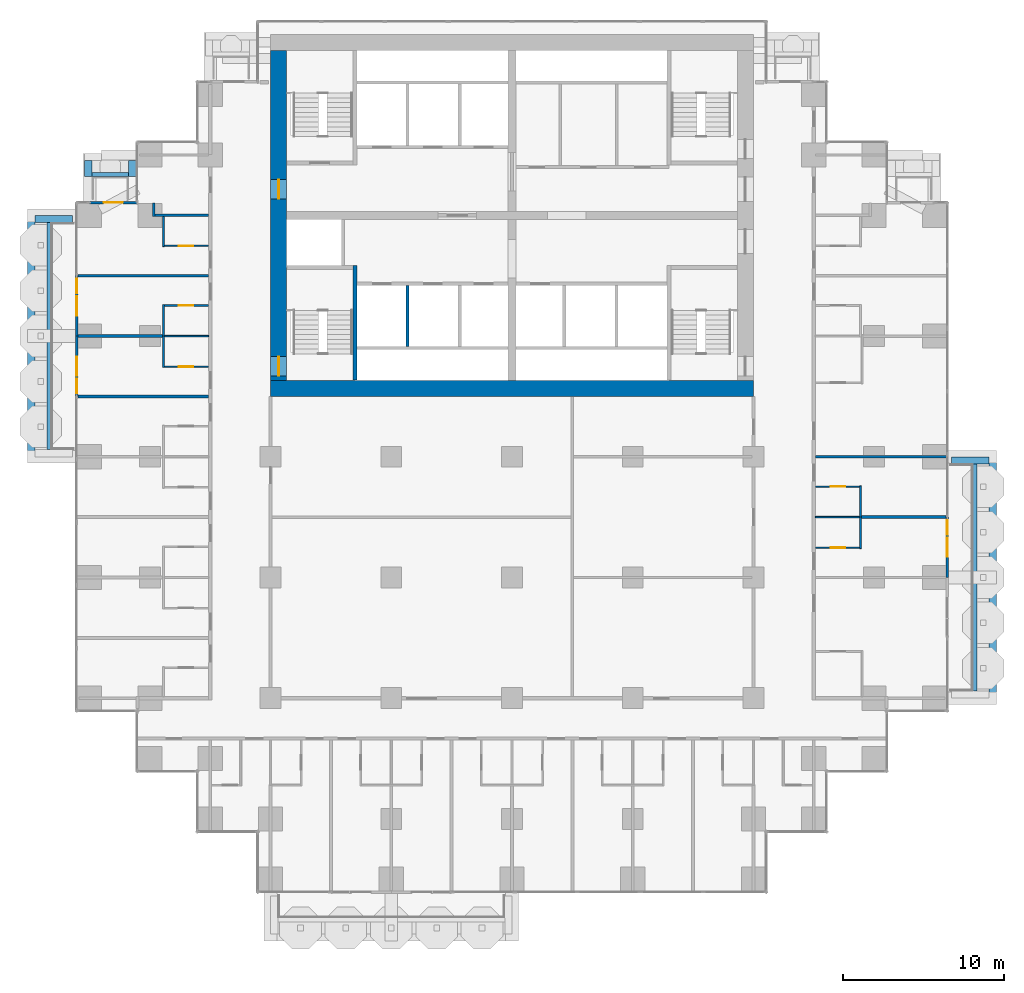
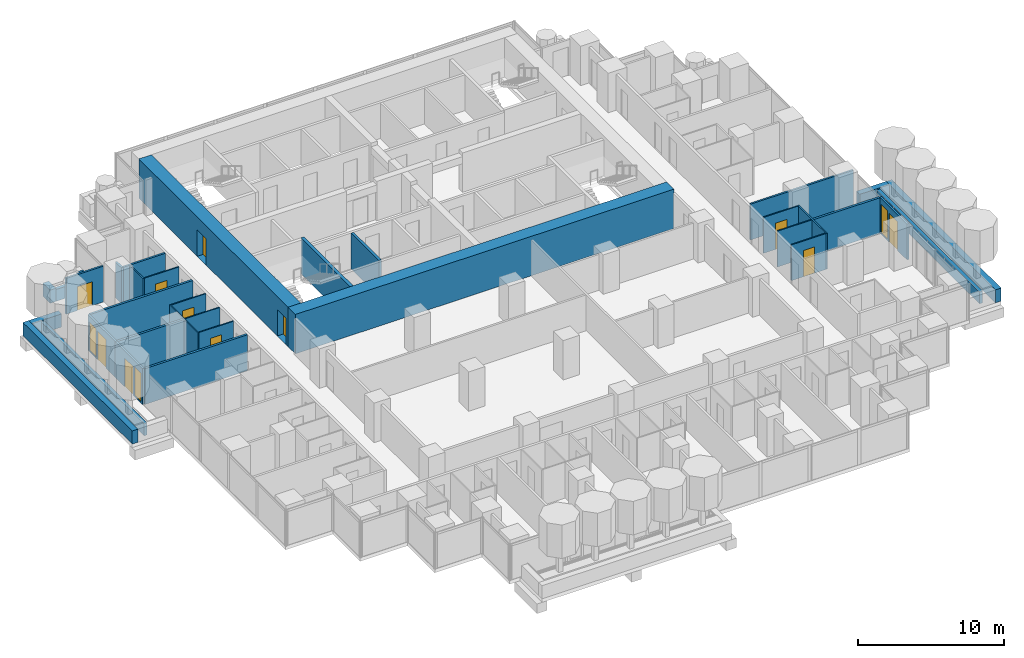
# One storey, part 13 of 19: 34 walls, 11 doors, 3 windows, 14 openings.
"""IFC4 building model written with IfcOpenShell, lengths in metres."""

from ifc_helpers import new_model, si_unit, direction, frame, frame_2d, origin, place, context, subcontext, project, spatial, rectangle, extrude, material, layer, layer_set, type_object, element, fill, save


model = new_model("IFC4")

# Units and contexts
model_context = context("Model", 3, precision=1e-05, world=origin(), true_north=direction((0.0, 1.0)))
body_context = subcontext(model_context, "Body", "Model", "MODEL_VIEW")
ifc_project = project(units=[si_unit("LENGTHUNIT", "METRE"), si_unit("AREAUNIT", "SQUARE_METRE"), si_unit("VOLUMEUNIT", "CUBIC_METRE"), si_unit("PLANEANGLEUNIT", "RADIAN"), si_unit("MASSUNIT", "GRAM", prefix="KILO")], contexts=[model_context])

# Site, building, storey
site_placement = place(None, origin())
site = spatial("IfcSite", under=ifc_project, at=site_placement, CompositionType="ELEMENT")
building_placement = place(site_placement, origin())
building = spatial("IfcBuilding", under=site, at=building_placement, Name="Pilkhan Gate Tower", CompositionType="ELEMENT")
storey_placement = place(building_placement, frame((0.0, 0.0, 62.60009765625)))
storey = spatial("IfcBuildingStorey", under=building, at=storey_placement, Name="L13", CompositionType="ELEMENT", Elevation=62.60009765625)

# Walls
ifc_material_1 = material(Name="Dense blockwork", Category="masonry")
ifc_layer_1 = layer(ifc_material_1, 0.175048828125)
ifc_layer_set_1 = layer_set([ifc_layer_1], Name="Acoustic party wall PW175")
wall_type_1 = type_object("IfcWallType", Name="Acoustic party wall PW175", PredefinedType="PARTITIONING", material=ifc_layer_set_1)
wall_1_placement = place(storey_placement, frame((96.699951171875, 63.75, 0.0), z_axis=(0.0, 0.0, 1.0), x_axis=(1.0, 0.0, 0.0)))
element("IfcWall", 1, at=wall_1_placement, inside=storey, type_object=wall_type_1, Name="Partition L13", PredefinedType="PARTITIONING", context=body_context, shape_type="SweptSolid", body=[
    extrude(rectangle(XDim=5.260009765625, YDim=0.175048828125, at=frame_2d((2.6298828125, 0.0))), origin(), (0.0, 0.0, 1.0), 3.0),
])
wall_2_placement = place(storey_placement, frame((48.0400390625, 71.25, 0.0), z_axis=(0.0, 0.0, 1.0), x_axis=(1.0, 0.0, 0.0)))
element("IfcWall", 2, at=wall_2_placement, inside=storey, type_object=wall_type_1, Name="Partition L13", PredefinedType="PARTITIONING", context=body_context, shape_type="SweptSolid", body=[
    extrude(rectangle(XDim=8.10986328125, YDim=0.175048828125, at=frame_2d((4.054931640625, 0.0))), origin(), (0.0, 0.0, 1.0), 3.0),
])
wall_3_placement = place(storey_placement, frame((48.0400390625, 75.0, 0.0), z_axis=(0.0, 0.0, 1.0), x_axis=(1.0, 0.0, 0.0)))
element("IfcWall", 3, at=wall_3_placement, inside=storey, type_object=wall_type_1, Name="Partition L13", PredefinedType="PARTITIONING", context=body_context, shape_type="SweptSolid", body=[
    extrude(rectangle(XDim=5.260009765625, YDim=0.175048828125, at=frame_2d((2.6298828125, 0.0))), origin(), (0.0, 0.0, 1.0), 3.0),
])
wall_4_placement = place(storey_placement, frame((48.0400390625, 78.75, 0.0), z_axis=(0.0, 0.0, 1.0), x_axis=(1.0, 0.0, 0.0)))
element("IfcWall", 4, at=wall_4_placement, inside=storey, type_object=wall_type_1, Name="Partition L13", PredefinedType="PARTITIONING", context=body_context, shape_type="SweptSolid", body=[
    extrude(rectangle(XDim=8.10986328125, YDim=0.175048828125, at=frame_2d((4.054931640625, 0.0))), origin(), (0.0, 0.0, 1.0), 3.0),
])
ifc_material_2 = material(Name="Concrete C40/50", Category="concrete")
ifc_layer_2 = layer(ifc_material_2, 0.25)
ifc_layer_set_2 = layer_set([ifc_layer_2], Name="Balcony planter BP250")
wall_type_2 = type_object("IfcWallType", Name="Balcony planter BP250", PredefinedType="USERDEFINED", material=ifc_layer_set_2)
wall_5_placement = place(storey_placement, frame((103.77490234375, 52.949951171875, 0.0), z_axis=(0.0, 0.0, 1.0), x_axis=(0.0, 1.0, 0.0)))
element("IfcWall", 5, at=wall_5_placement, inside=storey, type_object=wall_type_2, Name="Balcony planter L13 E", ObjectType="BALCONY PLANTER", PredefinedType="USERDEFINED", context=body_context, shape_type="SweptSolid", body=[
    extrude(rectangle(XDim=14.10009765625, YDim=0.25, at=frame_2d((7.050048828125, 0.0))), origin(), (0.0, 0.0, 1.0), 1.0),
])
wall_6_placement = place(storey_placement, frame((48.89990234375, 85.02490234375, 0.0), z_axis=(0.0, 0.0, 1.0), x_axis=(1.0, 0.0, 0.0)))
element("IfcWall", 6, at=wall_6_placement, inside=storey, type_object=wall_type_2, Name="Balcony planter L13 N", ObjectType="BALCONY PLANTER", PredefinedType="USERDEFINED", context=body_context, shape_type="SweptSolid", body=[
    extrude(rectangle(XDim=2.280029296875, YDim=0.25, at=frame_2d((1.14013671875, 0.0))), origin(), (0.0, 0.0, 1.0), 1.0),
])
wall_7_placement = place(storey_placement, frame((46.22509765625, 67.949951171875, 0.0), z_axis=(0.0, 0.0, 1.0), x_axis=(0.0, 1.0, 0.0)))
element("IfcWall", 7, at=wall_7_placement, inside=storey, type_object=wall_type_2, Name="Balcony planter L13 W", ObjectType="BALCONY PLANTER", PredefinedType="USERDEFINED", context=body_context, shape_type="SweptSolid", body=[
    extrude(rectangle(XDim=14.10009765625, YDim=0.25, at=frame_2d((7.050048828125, 0.0))), origin(), (0.0, 0.0, 1.0), 1.0),
])
ifc_material_3 = material(Name="Board-marked Concrete C40/50", Category="concrete")
ifc_layer_3 = layer(ifc_material_3, 0.449951171875)
ifc_layer_set_3 = layer_set([ifc_layer_3], Name="Balcony planter lip BL450")
wall_type_3 = type_object("IfcWallType", Name="Balcony planter lip BL450", PredefinedType="USERDEFINED", material=ifc_layer_set_3)
wall_8_placement = place(storey_placement, frame((104.875, 52.5, 0.0), z_axis=(0.0, 0.0, 1.0), x_axis=(0.0, 1.0, 0.0)))
element("IfcWall", 8, at=wall_8_placement, inside=storey, type_object=wall_type_3, Name="Balcony planter L13 E", ObjectType="BALCONY PLANTER", PredefinedType="USERDEFINED", context=body_context, shape_type="SweptSolid", body=[
    extrude(rectangle(XDim=15.0, YDim=0.449951171875, at=frame_2d((7.5, 0.0))), origin(), (0.0, 0.0, 1.0), 1.099853515625),
])
wall_9_placement = place(storey_placement, frame((102.300048828125, 67.27490234375, 0.0), z_axis=(0.0, 0.0, 1.0), x_axis=(1.0, 0.0, 0.0)))
element("IfcWall", 9, at=wall_9_placement, inside=storey, type_object=wall_type_3, Name="Balcony planter L13 E", ObjectType="BALCONY PLANTER", PredefinedType="USERDEFINED", context=body_context, shape_type="SweptSolid", body=[
    extrude(rectangle(XDim=2.349853515625, YDim=0.449951171875, at=frame_2d((1.1748046875, 0.0))), origin(), (0.0, 0.0, 1.0), 1.099853515625),
])
for number, where, z_axis, x_axis, name in (
    (10, (48.675048828125, 84.89990234375, 0.0), (0.0, 0.0, 1.0), (0.0, 1.0, 0.0), "Balcony planter L13 N"),
    (11, (51.405029296875, 84.89990234375, 0.0), (0.0, 0.0, 1.0), (0.0, 1.0, 0.0), "Balcony planter L13 N"),
):
    element("IfcWall", number, at=place(storey_placement, frame(where, z_axis=z_axis, x_axis=x_axis)), inside=storey, type_object=wall_type_3, Name=name, ObjectType="BALCONY PLANTER", PredefinedType="USERDEFINED", context=body_context, shape_type="SweptSolid", body=[
        extrude(rectangle(XDim=1.0, YDim=0.449951171875, at=frame_2d((0.5, 0.0))), origin(), (0.0, 0.0, 1.0), 1.099853515625),
    ])
wall_10_placement = place(storey_placement, frame((45.125, 67.5, 0.0), z_axis=(0.0, 0.0, 1.0), x_axis=(0.0, 1.0, 0.0)))
element("IfcWall", 12, at=wall_10_placement, inside=storey, type_object=wall_type_3, Name="Balcony planter L13 W", ObjectType="BALCONY PLANTER", PredefinedType="USERDEFINED", context=body_context, shape_type="SweptSolid", body=[
    extrude(rectangle(XDim=15.0, YDim=0.449951171875, at=frame_2d((7.5, 0.0))), origin(), (0.0, 0.0, 1.0), 1.099853515625),
])
wall_11_placement = place(storey_placement, frame((47.699951171875, 82.27490234375, 0.0), z_axis=(0.0, 0.0, 1.0), x_axis=(-1.0, 0.0, 0.0)))
element("IfcWall", 13, at=wall_11_placement, inside=storey, type_object=wall_type_3, Name="Balcony planter L13 W", ObjectType="BALCONY PLANTER", PredefinedType="USERDEFINED", context=body_context, shape_type="SweptSolid", body=[
    extrude(rectangle(XDim=2.349853515625, YDim=0.449951171875, at=frame_2d((1.1748046875, 0.0))), origin(), (0.0, 0.0, 1.0), 1.099853515625),
])
ifc_material_4 = material(Name="Concrete C70/85", Category="concrete")
ifc_layer_4 = layer(ifc_material_4, 1.0)
ifc_layer_set_4 = layer_set([ifc_layer_4], Name="Core wall CW1000 C70/85")
wall_type_4 = type_object("IfcWallType", Name="Core wall CW1000 C70/85", PredefinedType="SHEAR", material=ifc_layer_set_4)
wall_12_placement = place(storey_placement, frame((60.0, 71.75, 0.0), z_axis=(0.0, 0.0, 1.0), x_axis=(1.0, 0.0, 0.0)))
element("IfcWall", 14, at=wall_12_placement, inside=storey, type_object=wall_type_4, Name="Core wall S L13", PredefinedType="SHEAR", context=body_context, shape_type="SweptSolid", body=[
    extrude(rectangle(XDim=30.0, YDim=1.0, at=frame_2d((15.0, 0.0))), origin(), (0.0, 0.0, 1.0), 3.2998046875),
])

# Wall, openings, doors
wall_13_placement = place(storey_placement, frame((60.5, 92.75, 0.0), z_axis=(0.0, 0.0, 1.0), x_axis=(0.0, -1.0, 0.0)))
wall_13 = element("IfcWall", 15, at=wall_13_placement, inside=storey, type_object=wall_type_4, Name="Core wall W L13", PredefinedType="SHEAR", context=body_context, shape_type="SweptSolid", body=[
    extrude(rectangle(XDim=20.5, YDim=1.0, at=frame_2d((10.25, 0.0))), origin(), (0.0, 0.0, 1.0), 3.2998046875),
])
opening_1_placement = place(wall_13_placement, frame((19.02490234375, 0.0, 0.0)))
opening_1 = element("IfcOpeningElement", 16, at=opening_1_placement, cuts=wall_13, Name="Opening L13-04", PredefinedType="OPENING", context=body_context, shape_type="SweptSolid", body=[
    extrude(rectangle(XDim=1.199951171875, YDim=2.199951171875, at=frame_2d((0.60009765625, 1.10009765625))), frame((0.0, 0.510009765625, 0.0), z_axis=(0.0, -1.0, 0.0), x_axis=(1.0, 0.0, 0.0)), (0.0, 0.0, 1.0), 1.02001953125),
])
opening_2_placement = place(wall_13_placement, frame((8.02490234375, 0.0, 0.0)))
opening_2 = element("IfcOpeningElement", 17, at=opening_2_placement, cuts=wall_13, Name="Opening L13-55", PredefinedType="OPENING", context=body_context, shape_type="SweptSolid", body=[
    extrude(rectangle(XDim=1.199951171875, YDim=2.199951171875, at=frame_2d((0.60009765625, 1.10009765625))), frame((0.0, 0.510009765625, 0.0), z_axis=(0.0, -1.0, 0.0), x_axis=(1.0, 0.0, 0.0)), (0.0, 0.0, 1.0), 1.02001953125),
])
ifc_material_5 = material(Name="Steel door, 120 minute fire resisting, self-closing", Category="steel")
door_type_1 = type_object("IfcDoorType", Name="Firefighting lobby door D10 1200x2200", OperationType="SINGLE_SWING_LEFT", PredefinedType="DOOR", material=ifc_material_5)
door_1_placement = place(opening_2_placement, origin())
door_1 = element("IfcDoor", 18, at=door_1_placement, inside=storey, type_object=door_type_1, Name="Core door", OperationType="SINGLE_SWING_LEFT", OverallHeight=2.199951171875, OverallWidth=1.199951171875, PredefinedType="DOOR", context=body_context, shape_type="SweptSolid", body=[
    extrude(rectangle(XDim=1.199951171875, YDim=2.199951171875, at=frame_2d((0.60009765625, 1.10009765625))), frame((0.0, 0.02490234375, 0.0), z_axis=(0.0, -1.0, 0.0), x_axis=(1.0, 0.0, 0.0)), (0.0, 0.0, 1.0), 0.050048828125),
])
fill(opening_2, door_1)
ifc_material_6 = material(Name="Steel door, 120 minute fire resisting, panic bar", Category="steel")
door_type_2 = type_object("IfcDoorType", Name="Stair door D11 1200x2200", OperationType="SINGLE_SWING_LEFT", PredefinedType="DOOR", material=ifc_material_6)
door_2_placement = place(opening_1_placement, origin())
door_2 = element("IfcDoor", 19, at=door_2_placement, inside=storey, type_object=door_type_2, Name="Stair ST2 door", OperationType="SINGLE_SWING_LEFT", OverallHeight=2.199951171875, OverallWidth=1.199951171875, PredefinedType="DOOR", context=body_context, shape_type="SweptSolid", body=[
    extrude(rectangle(XDim=1.199951171875, YDim=2.199951171875, at=frame_2d((0.60009765625, 1.10009765625))), frame((0.0, 0.02490234375, 0.0), z_axis=(0.0, -1.0, 0.0), x_axis=(1.0, 0.0, 0.0)), (0.0, 0.0, 1.0), 0.050048828125),
])
fill(opening_1, door_2)

# Wall, openings, door, window
ifc_material_7 = material(Name="Pale anodised aluminium, clear laminated glazing", Category="aluminium")
ifc_layer_5 = layer(ifc_material_7, 0.14990234375)
ifc_layer_set_5 = layer_set([ifc_layer_5], Name="Facade infill wall IW150")
wall_type_5 = type_object("IfcWallType", Name="Facade infill wall IW150", PredefinedType="SOLIDWALL", material=ifc_layer_set_5)
wall_14_placement = place(storey_placement, frame((102.044921875, 60.0, 0.0), z_axis=(0.0, 0.0, 1.0), x_axis=(0.0, 1.0, 0.0)))
wall_14 = element("IfcWall", 20, at=wall_14_placement, inside=storey, type_object=wall_type_5, Name="Infill wall L13 E", PredefinedType="SOLIDWALL", context=body_context, shape_type="SweptSolid", body=[
    extrude(rectangle(XDim=3.75, YDim=0.14990234375, at=frame_2d((1.875, 0.0))), origin(), (0.0, 0.0, 1.0), 3.0),
])
opening_3_placement = place(wall_14_placement, frame((1.27490234375, 0.0, 0.0)))
opening_3 = element("IfcOpeningElement", 21, at=opening_3_placement, cuts=wall_14, Name="Opening D1", PredefinedType="OPENING", context=body_context, shape_type="SweptSolid", body=[
    extrude(rectangle(XDim=1.199951171875, YDim=2.39990234375, at=frame_2d((0.60009765625, 1.199951171875))), frame((0.0, 0.0849609375, 0.0), z_axis=(0.0, -1.0, 0.0), x_axis=(1.0, 0.0, 0.0)), (0.0, 0.0, 1.0), 0.169921875),
])
opening_4_placement = place(wall_14_placement, frame((2.66259765625, 0.0, 0.10009765625)))
opening_4 = element("IfcOpeningElement", 22, at=opening_4_placement, cuts=wall_14, Name="Opening W1", PredefinedType="OPENING", context=body_context, shape_type="SweptSolid", body=[
    extrude(rectangle(XDim=0.89990234375, YDim=2.39990234375, at=frame_2d((0.449951171875, 1.199951171875))), frame((0.0, 0.0849609375, 0.0), z_axis=(0.0, -1.0, 0.0), x_axis=(1.0, 0.0, 0.0)), (0.0, 0.0, 1.0), 0.169921875),
])
ifc_material_8 = material(Name="Pale anodised aluminium, clear glazing", Category="aluminium")
door_type_3 = type_object("IfcDoorType", Name="Balcony door D1 1200x2400", OperationType="SINGLE_SWING_LEFT", PredefinedType="DOOR", material=ifc_material_8)
door_3_placement = place(opening_3_placement, origin())
door_3 = element("IfcDoor", 23, at=door_3_placement, inside=storey, type_object=door_type_3, Name="Balcony door L13", OperationType="SINGLE_SWING_LEFT", OverallHeight=2.39990234375, OverallWidth=1.199951171875, PredefinedType="DOOR", context=body_context, shape_type="SweptSolid", body=[
    extrude(rectangle(XDim=1.199951171875, YDim=2.39990234375, at=frame_2d((0.60009765625, 1.199951171875))), frame((0.0, 0.02490234375, 0.0), z_axis=(0.0, -1.0, 0.0), x_axis=(1.0, 0.0, 0.0)), (0.0, 0.0, 1.0), 0.050048828125),
])
fill(opening_3, door_3)
ifc_material_9 = material(Name="Pale anodised aluminium, clear double glazing", Category="aluminium")
window_type = type_object("IfcWindowType", Name="Window W1 900x2400", PartitioningType="SINGLE_PANEL", PredefinedType="WINDOW", material=ifc_material_9)
window_1_placement = place(opening_4_placement, origin())
window_1 = element("IfcWindow", 24, at=window_1_placement, inside=storey, type_object=window_type, Name="Window L13", OverallHeight=2.39990234375, OverallWidth=0.89990234375, PartitioningType="SINGLE_PANEL", PredefinedType="WINDOW", context=body_context, shape_type="SweptSolid", body=[
    extrude(rectangle(XDim=0.89990234375, YDim=2.39990234375, at=frame_2d((0.449951171875, 1.199951171875))), frame((0.0, 0.030029296875, 0.0), z_axis=(0.0, -1.0, 0.0), x_axis=(1.0, 0.0, 0.0)), (0.0, 0.0, 1.0), 0.06005859375),
])
fill(opening_4, window_1)

# Wall, opening, door
wall_15_placement = place(storey_placement, frame((48.75, 83.294921875, 0.0), z_axis=(0.0, 0.0, 1.0), x_axis=(1.0, 0.0, 0.0)))
wall_15 = element("IfcWall", 25, at=wall_15_placement, inside=storey, type_object=wall_type_5, Name="Infill wall L13 N", PredefinedType="SOLIDWALL", context=body_context, shape_type="SweptSolid", body=[
    extrude(rectangle(XDim=2.955078125, YDim=0.14990234375, at=frame_2d((1.4775390625, 0.0))), origin(), (0.0, 0.0, 1.0), 3.0),
])
opening_5_placement = place(wall_15_placement, frame((0.87744140625, 0.0, 0.0)))
opening_5 = element("IfcOpeningElement", 26, at=opening_5_placement, cuts=wall_15, Name="Opening D1L", PredefinedType="OPENING", context=body_context, shape_type="SweptSolid", body=[
    extrude(rectangle(XDim=1.199951171875, YDim=2.0, at=frame_2d((0.60009765625, 1.0))), frame((0.0, 0.0849609375, 0.0), z_axis=(0.0, -1.0, 0.0), x_axis=(1.0, 0.0, 0.0)), (0.0, 0.0, 1.0), 0.169921875),
])
door_type_4 = type_object("IfcDoorType", Name="Balcony door D1L 1200x2000", OperationType="SINGLE_SWING_LEFT", PredefinedType="DOOR", material=ifc_material_8)
door_4_placement = place(opening_5_placement, origin())
door_4 = element("IfcDoor", 27, at=door_4_placement, inside=storey, type_object=door_type_4, Name="Balcony door L13", OperationType="SINGLE_SWING_LEFT", OverallHeight=2.0, OverallWidth=1.199951171875, PredefinedType="DOOR", context=body_context, shape_type="SweptSolid", body=[
    extrude(rectangle(XDim=1.199951171875, YDim=2.0, at=frame_2d((0.60009765625, 1.0))), frame((0.0, 0.02490234375, 0.0), z_axis=(0.0, -1.0, 0.0), x_axis=(1.0, 0.0, 0.0)), (0.0, 0.0, 1.0), 0.050048828125),
])
fill(opening_5, door_4)

# Wall, openings, door, window
wall_16_placement = place(storey_placement, frame((47.955078125, 71.25, 0.0), z_axis=(0.0, 0.0, 1.0), x_axis=(0.0, 1.0, 0.0)))
wall_16 = element("IfcWall", 28, at=wall_16_placement, inside=storey, type_object=wall_type_5, Name="Infill wall L13 W", PredefinedType="SOLIDWALL", context=body_context, shape_type="SweptSolid", body=[
    extrude(rectangle(XDim=3.75, YDim=0.14990234375, at=frame_2d((1.875, 0.0))), origin(), (0.0, 0.0, 1.0), 3.0),
])
opening_6_placement = place(wall_16_placement, frame((0.1875, 0.0, 0.10009765625)))
opening_6 = element("IfcOpeningElement", 29, at=opening_6_placement, cuts=wall_16, Name="Opening W1", PredefinedType="OPENING", context=body_context, shape_type="SweptSolid", body=[
    extrude(rectangle(XDim=0.89990234375, YDim=2.39990234375, at=frame_2d((0.449951171875, 1.199951171875))), frame((0.0, 0.0849609375, 0.0), z_axis=(0.0, -1.0, 0.0), x_axis=(1.0, 0.0, 0.0)), (0.0, 0.0, 1.0), 0.169921875),
])
opening_7_placement = place(wall_16_placement, frame((1.27490234375, 0.0, 0.0)))
opening_7 = element("IfcOpeningElement", 30, at=opening_7_placement, cuts=wall_16, Name="Opening D1", PredefinedType="OPENING", context=body_context, shape_type="SweptSolid", body=[
    extrude(rectangle(XDim=1.199951171875, YDim=2.39990234375, at=frame_2d((0.60009765625, 1.199951171875))), frame((0.0, 0.0849609375, 0.0), z_axis=(0.0, -1.0, 0.0), x_axis=(1.0, 0.0, 0.0)), (0.0, 0.0, 1.0), 0.169921875),
])
door_5_placement = place(opening_7_placement, origin())
door_5 = element("IfcDoor", 31, at=door_5_placement, inside=storey, type_object=door_type_3, Name="Balcony door L13", OperationType="SINGLE_SWING_LEFT", OverallHeight=2.39990234375, OverallWidth=1.199951171875, PredefinedType="DOOR", context=body_context, shape_type="SweptSolid", body=[
    extrude(rectangle(XDim=1.199951171875, YDim=2.39990234375, at=frame_2d((0.60009765625, 1.199951171875))), frame((0.0, 0.02490234375, 0.0), z_axis=(0.0, -1.0, 0.0), x_axis=(1.0, 0.0, 0.0)), (0.0, 0.0, 1.0), 0.050048828125),
])
fill(opening_7, door_5)
window_2_placement = place(opening_6_placement, origin())
window_2 = element("IfcWindow", 32, at=window_2_placement, inside=storey, type_object=window_type, Name="Window L13", OverallHeight=2.39990234375, OverallWidth=0.89990234375, PartitioningType="SINGLE_PANEL", PredefinedType="WINDOW", context=body_context, shape_type="SweptSolid", body=[
    extrude(rectangle(XDim=0.89990234375, YDim=2.39990234375, at=frame_2d((0.449951171875, 1.199951171875))), frame((0.0, 0.030029296875, 0.0), z_axis=(0.0, -1.0, 0.0), x_axis=(1.0, 0.0, 0.0)), (0.0, 0.0, 1.0), 0.06005859375),
])
fill(opening_6, window_2)

wall_17_placement = place(storey_placement, frame((47.955078125, 75.0, 0.0), z_axis=(0.0, 0.0, 1.0), x_axis=(0.0, 1.0, 0.0)))
wall_17 = element("IfcWall", 33, at=wall_17_placement, inside=storey, type_object=wall_type_5, Name="Infill wall L13 W", PredefinedType="SOLIDWALL", context=body_context, shape_type="SweptSolid", body=[
    extrude(rectangle(XDim=3.75, YDim=0.14990234375, at=frame_2d((1.875, 0.0))), origin(), (0.0, 0.0, 1.0), 3.0),
])
opening_8_placement = place(wall_17_placement, frame((1.27490234375, 0.0, 0.0)))
opening_8 = element("IfcOpeningElement", 34, at=opening_8_placement, cuts=wall_17, Name="Opening D1", PredefinedType="OPENING", context=body_context, shape_type="SweptSolid", body=[
    extrude(rectangle(XDim=1.199951171875, YDim=2.39990234375, at=frame_2d((0.60009765625, 1.199951171875))), frame((0.0, 0.0849609375, 0.0), z_axis=(0.0, -1.0, 0.0), x_axis=(1.0, 0.0, 0.0)), (0.0, 0.0, 1.0), 0.169921875),
])
opening_9_placement = place(wall_17_placement, frame((2.66259765625, 0.0, 0.10009765625)))
opening_9 = element("IfcOpeningElement", 35, at=opening_9_placement, cuts=wall_17, Name="Opening W1", PredefinedType="OPENING", context=body_context, shape_type="SweptSolid", body=[
    extrude(rectangle(XDim=0.89990234375, YDim=2.39990234375, at=frame_2d((0.449951171875, 1.199951171875))), frame((0.0, 0.0849609375, 0.0), z_axis=(0.0, -1.0, 0.0), x_axis=(1.0, 0.0, 0.0)), (0.0, 0.0, 1.0), 0.169921875),
])
door_6_placement = place(opening_8_placement, origin())
door_6 = element("IfcDoor", 36, at=door_6_placement, inside=storey, type_object=door_type_3, Name="Balcony door L13", OperationType="SINGLE_SWING_LEFT", OverallHeight=2.39990234375, OverallWidth=1.199951171875, PredefinedType="DOOR", context=body_context, shape_type="SweptSolid", body=[
    extrude(rectangle(XDim=1.199951171875, YDim=2.39990234375, at=frame_2d((0.60009765625, 1.199951171875))), frame((0.0, 0.02490234375, 0.0), z_axis=(0.0, -1.0, 0.0), x_axis=(1.0, 0.0, 0.0)), (0.0, 0.0, 1.0), 0.050048828125),
])
fill(opening_8, door_6)
window_3_placement = place(opening_9_placement, origin())
window_3 = element("IfcWindow", 37, at=window_3_placement, inside=storey, type_object=window_type, Name="Window L13", OverallHeight=2.39990234375, OverallWidth=0.89990234375, PartitioningType="SINGLE_PANEL", PredefinedType="WINDOW", context=body_context, shape_type="SweptSolid", body=[
    extrude(rectangle(XDim=0.89990234375, YDim=2.39990234375, at=frame_2d((0.449951171875, 1.199951171875))), frame((0.0, 0.030029296875, 0.0), z_axis=(0.0, -1.0, 0.0), x_axis=(1.0, 0.0, 0.0)), (0.0, 0.0, 1.0), 0.06005859375),
])
fill(opening_9, window_3)

# Walls
ifc_material_10 = material(Name="Blockwork partition, plastered both sides", Category="masonry")
ifc_layer_6 = layer(ifc_material_10, 0.14990234375)
ifc_layer_set_6 = layer_set([ifc_layer_6], Name="Partition PW150")
wall_type_6 = type_object("IfcWallType", Name="Partition PW150", PredefinedType="PARTITIONING", material=ifc_layer_set_6)
wall_18_placement = place(storey_placement, frame((93.85009765625, 67.5, 0.0), z_axis=(0.0, 0.0, 1.0), x_axis=(1.0, 0.0, 0.0)))
element("IfcWall", 38, at=wall_18_placement, inside=storey, type_object=wall_type_6, Name="Partition L13", PredefinedType="PARTITIONING", context=body_context, shape_type="SweptSolid", body=[
    extrude(rectangle(XDim=8.164794921875, YDim=0.14990234375, at=frame_2d((4.08251953125, 0.0))), origin(), (0.0, 0.0, 1.0), 3.0),
])
wall_19_placement = place(storey_placement, frame((52.81005859375, 82.5, 0.0), z_axis=(0.0, 0.0, 1.0), x_axis=(1.0, 0.0, 0.0)))
element("IfcWall", 39, at=wall_19_placement, inside=storey, type_object=wall_type_6, Name="Partition L13", PredefinedType="PARTITIONING", context=body_context, shape_type="SweptSolid", body=[
    extrude(rectangle(XDim=3.33984375, YDim=0.14990234375, at=frame_2d((1.669921875, 0.0))), origin(), (0.0, 0.0, 1.0), 3.0),
])
wall_20_placement = place(storey_placement, frame((52.735107421875, 82.425048828125, 0.0), z_axis=(0.0, 0.0, 1.0), x_axis=(0.0, 1.0, 0.0)))
element("IfcWall", 40, at=wall_20_placement, inside=storey, type_object=wall_type_6, Name="Partition L13", PredefinedType="PARTITIONING", context=body_context, shape_type="SweptSolid", body=[
    extrude(rectangle(XDim=0.83984375, YDim=0.14990234375, at=frame_2d((0.419921875, 0.0))), origin(), (0.0, 0.0, 1.0), 3.0),
])
ifc_material_11 = material(Name="Reinforced blockwork shaft wall, 120 minute fire resisting", Category="masonry")
ifc_layer_7 = layer(ifc_material_11, 0.199951171875)
ifc_layer_set_7 = layer_set([ifc_layer_7], Name="Shaft wall SW200")
wall_type_7 = type_object("IfcWallType", Name="Shaft wall SW200", PredefinedType="PARTITIONING", material=ifc_layer_set_7)
wall_21_placement = place(storey_placement, frame((68.5, 74.35009765625, 0.0), z_axis=(0.0, 0.0, 1.0), x_axis=(0.0, 1.0, 0.0)))
element("IfcWall", 41, at=wall_21_placement, inside=storey, type_object=wall_type_7, Name="Partition L13", PredefinedType="PARTITIONING", context=body_context, shape_type="SweptSolid", body=[
    extrude(rectangle(XDim=3.7998046875, YDim=0.199951171875, at=frame_2d((1.89990234375, 0.0))), origin(), (0.0, 0.0, 1.0), 3.0),
])
ifc_material_12 = material(Name="Reinforced blockwork, 120 minute fire resisting", Category="masonry")
ifc_layer_8 = layer(ifc_material_12, 0.25)
ifc_layer_set_8 = layer_set([ifc_layer_8], Name="Stair enclosure wall SE250")
wall_type_8 = type_object("IfcWallType", Name="Stair enclosure wall SE250", PredefinedType="PARTITIONING", material=ifc_layer_set_8)
wall_22_placement = place(storey_placement, frame((65.25, 72.260009765625, 0.0), z_axis=(0.0, 0.0, 1.0), x_axis=(0.0, 1.0, 0.0)))
element("IfcWall", 42, at=wall_22_placement, inside=storey, type_object=wall_type_8, Name="Partition L13", PredefinedType="PARTITIONING", context=body_context, shape_type="SweptSolid", body=[
    extrude(rectangle(XDim=7.114990234375, YDim=0.25, at=frame_2d((3.5576171875, 0.0))), origin(), (0.0, 0.0, 1.0), 3.0),
])

# Wall, opening, door
ifc_material_13 = material(Name="Moisture resistant board, tiled")
ifc_layer_9 = layer(ifc_material_13, 0.10009765625)
ifc_layer_set_9 = layer_set([ifc_layer_9], Name="Wet wall PW100")
wall_type_9 = type_object("IfcWallType", Name="Wet wall PW100", PredefinedType="PARTITIONING", material=ifc_layer_set_9)
wall_23_placement = place(storey_placement, frame((93.85009765625, 61.85009765625, 0.0), z_axis=(0.0, 0.0, 1.0), x_axis=(1.0, 0.0, 0.0)))
wall_23 = element("IfcWall", 43, at=wall_23_placement, inside=storey, type_object=wall_type_9, Name="Partition L13", PredefinedType="PARTITIONING", context=body_context, shape_type="SweptSolid", body=[
    extrude(rectangle(XDim=2.75, YDim=0.10009765625, at=frame_2d((1.375, 0.0))), origin(), (0.0, 0.0, 1.0), 3.0),
])
opening_10_placement = place(wall_23_placement, frame((0.949951171875, 0.0, 0.0)))
opening_10 = element("IfcOpeningElement", 44, at=opening_10_placement, cuts=wall_23, Name="Opening L13-45", PredefinedType="OPENING", context=body_context, shape_type="SweptSolid", body=[
    extrude(rectangle(XDim=0.89990234375, YDim=2.199951171875, at=frame_2d((0.449951171875, 1.10009765625))), frame((0.0, 0.06005859375, 0.0), z_axis=(0.0, -1.0, 0.0), x_axis=(1.0, 0.0, 0.0)), (0.0, 0.0, 1.0), 0.1201171875),
])
ifc_material_14 = material(Name="Timber flush door", Category="wood")
door_type_5 = type_object("IfcDoorType", Name="Bathroom door D02 900x2200", OperationType="SINGLE_SWING_RIGHT", PredefinedType="DOOR", material=ifc_material_14)
door_7_placement = place(opening_10_placement, origin())
door_7 = element("IfcDoor", 45, at=door_7_placement, inside=storey, type_object=door_type_5, Name="Bathroom door", OperationType="SINGLE_SWING_RIGHT", OverallHeight=2.199951171875, OverallWidth=0.89990234375, PredefinedType="DOOR", context=body_context, shape_type="SweptSolid", body=[
    extrude(rectangle(XDim=0.89990234375, YDim=2.199951171875, at=frame_2d((0.449951171875, 1.10009765625))), frame((0.0, 0.02490234375, 0.0), z_axis=(0.0, -1.0, 0.0), x_axis=(1.0, 0.0, 0.0)), (0.0, 0.0, 1.0), 0.050048828125),
])
fill(opening_10, door_7)

# Wall
wall_24_placement = place(storey_placement, frame((93.85009765625, 63.75, 0.0), z_axis=(0.0, 0.0, 1.0), x_axis=(1.0, 0.0, 0.0)))
element("IfcWall", 46, at=wall_24_placement, inside=storey, type_object=wall_type_9, Name="Partition L13", PredefinedType="PARTITIONING", context=body_context, shape_type="SweptSolid", body=[
    extrude(rectangle(XDim=2.75, YDim=0.10009765625, at=frame_2d((1.375, 0.0))), origin(), (0.0, 0.0, 1.0), 3.0),
])

# Wall, opening, door
wall_25_placement = place(storey_placement, frame((93.85009765625, 65.64990234375, 0.0), z_axis=(0.0, 0.0, 1.0), x_axis=(1.0, 0.0, 0.0)))
wall_25 = element("IfcWall", 47, at=wall_25_placement, inside=storey, type_object=wall_type_9, Name="Partition L13", PredefinedType="PARTITIONING", context=body_context, shape_type="SweptSolid", body=[
    extrude(rectangle(XDim=2.75, YDim=0.10009765625, at=frame_2d((1.375, 0.0))), origin(), (0.0, 0.0, 1.0), 3.0),
])
opening_11_placement = place(wall_25_placement, frame((0.949951171875, 0.0, 0.0)))
opening_11 = element("IfcOpeningElement", 48, at=opening_11_placement, cuts=wall_25, Name="Opening L13-47", PredefinedType="OPENING", context=body_context, shape_type="SweptSolid", body=[
    extrude(rectangle(XDim=0.89990234375, YDim=2.199951171875, at=frame_2d((0.449951171875, 1.10009765625))), frame((0.0, 0.06005859375, 0.0), z_axis=(0.0, -1.0, 0.0), x_axis=(1.0, 0.0, 0.0)), (0.0, 0.0, 1.0), 0.1201171875),
])
door_8_placement = place(opening_11_placement, origin())
door_8 = element("IfcDoor", 49, at=door_8_placement, inside=storey, type_object=door_type_5, Name="Bathroom door", OperationType="SINGLE_SWING_RIGHT", OverallHeight=2.199951171875, OverallWidth=0.89990234375, PredefinedType="DOOR", context=body_context, shape_type="SweptSolid", body=[
    extrude(rectangle(XDim=0.89990234375, YDim=2.199951171875, at=frame_2d((0.449951171875, 1.10009765625))), frame((0.0, 0.02490234375, 0.0), z_axis=(0.0, -1.0, 0.0), x_axis=(1.0, 0.0, 0.0)), (0.0, 0.0, 1.0), 0.050048828125),
])
fill(opening_11, door_8)

wall_26_placement = place(storey_placement, frame((53.39990234375, 73.10009765625, 0.0), z_axis=(0.0, 0.0, 1.0), x_axis=(1.0, 0.0, 0.0)))
wall_26 = element("IfcWall", 50, at=wall_26_placement, inside=storey, type_object=wall_type_9, Name="Partition L13", PredefinedType="PARTITIONING", context=body_context, shape_type="SweptSolid", body=[
    extrude(rectangle(XDim=2.75, YDim=0.10009765625, at=frame_2d((1.375, 0.0))), origin(), (0.0, 0.0, 1.0), 3.0),
])
opening_12_placement = place(wall_26_placement, frame((0.89990234375, 0.0, 0.0)))
opening_12 = element("IfcOpeningElement", 51, at=opening_12_placement, cuts=wall_26, Name="Opening L13-37", PredefinedType="OPENING", context=body_context, shape_type="SweptSolid", body=[
    extrude(rectangle(XDim=0.89990234375, YDim=2.199951171875, at=frame_2d((0.449951171875, 1.10009765625))), frame((0.0, 0.06005859375, 0.0), z_axis=(0.0, -1.0, 0.0), x_axis=(1.0, 0.0, 0.0)), (0.0, 0.0, 1.0), 0.1201171875),
])
door_9_placement = place(opening_12_placement, origin())
door_9 = element("IfcDoor", 52, at=door_9_placement, inside=storey, type_object=door_type_5, Name="Bathroom door", OperationType="SINGLE_SWING_RIGHT", OverallHeight=2.199951171875, OverallWidth=0.89990234375, PredefinedType="DOOR", context=body_context, shape_type="SweptSolid", body=[
    extrude(rectangle(XDim=0.89990234375, YDim=2.199951171875, at=frame_2d((0.449951171875, 1.10009765625))), frame((0.0, 0.02490234375, 0.0), z_axis=(0.0, -1.0, 0.0), x_axis=(1.0, 0.0, 0.0)), (0.0, 0.0, 1.0), 0.050048828125),
])
fill(opening_12, door_9)

# Wall
wall_27_placement = place(storey_placement, frame((53.39990234375, 75.0, 0.0), z_axis=(0.0, 0.0, 1.0), x_axis=(1.0, 0.0, 0.0)))
element("IfcWall", 53, at=wall_27_placement, inside=storey, type_object=wall_type_9, Name="Partition L13", PredefinedType="PARTITIONING", context=body_context, shape_type="SweptSolid", body=[
    extrude(rectangle(XDim=2.75, YDim=0.10009765625, at=frame_2d((1.375, 0.0))), origin(), (0.0, 0.0, 1.0), 3.0),
])

# Wall, opening, door
wall_28_placement = place(storey_placement, frame((53.39990234375, 76.89990234375, 0.0), z_axis=(0.0, 0.0, 1.0), x_axis=(1.0, 0.0, 0.0)))
wall_28 = element("IfcWall", 54, at=wall_28_placement, inside=storey, type_object=wall_type_9, Name="Partition L13", PredefinedType="PARTITIONING", context=body_context, shape_type="SweptSolid", body=[
    extrude(rectangle(XDim=2.75, YDim=0.10009765625, at=frame_2d((1.375, 0.0))), origin(), (0.0, 0.0, 1.0), 3.0),
])
opening_13_placement = place(wall_28_placement, frame((0.89990234375, 0.0, 0.0)))
opening_13 = element("IfcOpeningElement", 55, at=opening_13_placement, cuts=wall_28, Name="Opening L13-39", PredefinedType="OPENING", context=body_context, shape_type="SweptSolid", body=[
    extrude(rectangle(XDim=0.89990234375, YDim=2.199951171875, at=frame_2d((0.449951171875, 1.10009765625))), frame((0.0, 0.06005859375, 0.0), z_axis=(0.0, -1.0, 0.0), x_axis=(1.0, 0.0, 0.0)), (0.0, 0.0, 1.0), 0.1201171875),
])
door_10_placement = place(opening_13_placement, origin())
door_10 = element("IfcDoor", 56, at=door_10_placement, inside=storey, type_object=door_type_5, Name="Bathroom door", OperationType="SINGLE_SWING_RIGHT", OverallHeight=2.199951171875, OverallWidth=0.89990234375, PredefinedType="DOOR", context=body_context, shape_type="SweptSolid", body=[
    extrude(rectangle(XDim=0.89990234375, YDim=2.199951171875, at=frame_2d((0.449951171875, 1.10009765625))), frame((0.0, 0.02490234375, 0.0), z_axis=(0.0, -1.0, 0.0), x_axis=(1.0, 0.0, 0.0)), (0.0, 0.0, 1.0), 0.050048828125),
])
fill(opening_13, door_10)

wall_29_placement = place(storey_placement, frame((53.39990234375, 80.60009765625, 0.0), z_axis=(0.0, 0.0, 1.0), x_axis=(1.0, 0.0, 0.0)))
wall_29 = element("IfcWall", 57, at=wall_29_placement, inside=storey, type_object=wall_type_9, Name="Partition L13", PredefinedType="PARTITIONING", context=body_context, shape_type="SweptSolid", body=[
    extrude(rectangle(XDim=2.75, YDim=0.10009765625, at=frame_2d((1.375, 0.0))), origin(), (0.0, 0.0, 1.0), 3.0),
])
opening_14_placement = place(wall_29_placement, frame((0.89990234375, 0.0, 0.0)))
opening_14 = element("IfcOpeningElement", 58, at=opening_14_placement, cuts=wall_29, Name="Opening L13-41", PredefinedType="OPENING", context=body_context, shape_type="SweptSolid", body=[
    extrude(rectangle(XDim=0.89990234375, YDim=2.199951171875, at=frame_2d((0.449951171875, 1.10009765625))), frame((0.0, 0.06005859375, 0.0), z_axis=(0.0, -1.0, 0.0), x_axis=(1.0, 0.0, 0.0)), (0.0, 0.0, 1.0), 0.1201171875),
])
door_11_placement = place(opening_14_placement, origin())
door_11 = element("IfcDoor", 59, at=door_11_placement, inside=storey, type_object=door_type_5, Name="Bathroom door", OperationType="SINGLE_SWING_RIGHT", OverallHeight=2.199951171875, OverallWidth=0.89990234375, PredefinedType="DOOR", context=body_context, shape_type="SweptSolid", body=[
    extrude(rectangle(XDim=0.89990234375, YDim=2.199951171875, at=frame_2d((0.449951171875, 1.10009765625))), frame((0.0, 0.02490234375, 0.0), z_axis=(0.0, -1.0, 0.0), x_axis=(1.0, 0.0, 0.0)), (0.0, 0.0, 1.0), 0.050048828125),
])
fill(opening_14, door_11)

# Walls
wall_30_placement = place(storey_placement, frame((53.35009765625, 73.050048828125, 0.0), z_axis=(0.0, 0.0, 1.0), x_axis=(0.0, 1.0, 0.0)))
element("IfcWall", 60, at=wall_30_placement, inside=storey, type_object=wall_type_9, Name="Partition L13", PredefinedType="PARTITIONING", context=body_context, shape_type="SweptSolid", body=[
    extrude(rectangle(XDim=3.89990234375, YDim=0.10009765625, at=frame_2d((1.949951171875, 0.0))), origin(), (0.0, 0.0, 1.0), 3.0),
])
wall_31_placement = place(storey_placement, frame((53.35009765625, 80.550048828125, 0.0), z_axis=(0.0, 0.0, 1.0), x_axis=(0.0, 1.0, 0.0)))
element("IfcWall", 61, at=wall_31_placement, inside=storey, type_object=wall_type_9, Name="Partition L13", PredefinedType="PARTITIONING", context=body_context, shape_type="SweptSolid", body=[
    extrude(rectangle(XDim=1.875, YDim=0.10009765625, at=frame_2d((0.9375, 0.0))), origin(), (0.0, 0.0, 1.0), 3.0),
])
wall_32_placement = place(storey_placement, frame((96.64990234375, 61.800048828125, 0.0), z_axis=(0.0, 0.0, 1.0), x_axis=(0.0, 1.0, 0.0)))
element("IfcWall", 62, at=wall_32_placement, inside=storey, type_object=wall_type_9, Name="Partition L13", PredefinedType="PARTITIONING", context=body_context, shape_type="SweptSolid", body=[
    extrude(rectangle(XDim=3.89990234375, YDim=0.10009765625, at=frame_2d((1.949951171875, 0.0))), origin(), (0.0, 0.0, 1.0), 3.0),
])

save(model, "model.ifc")
